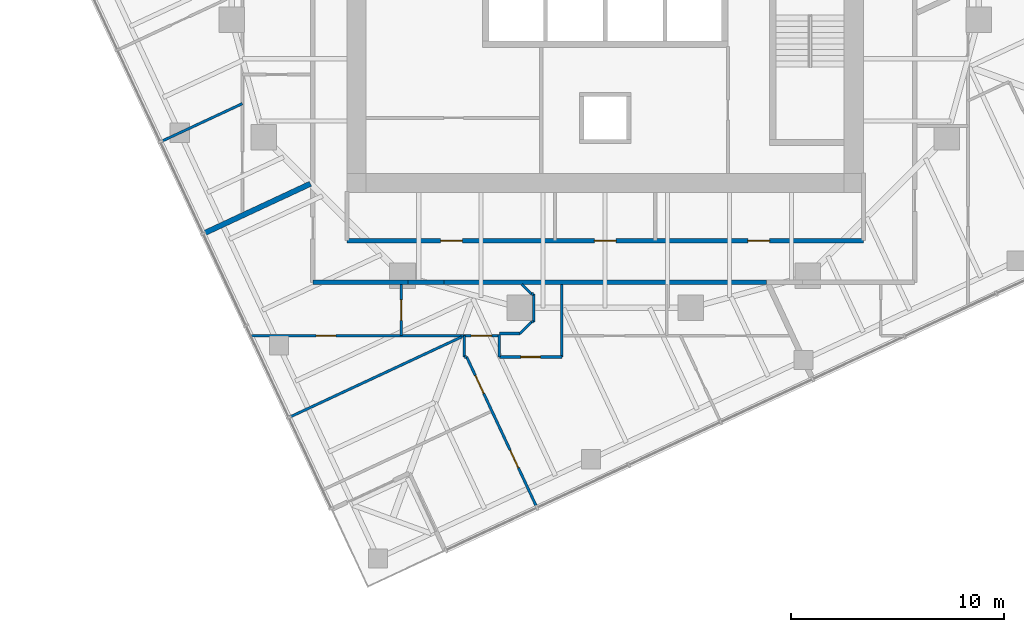
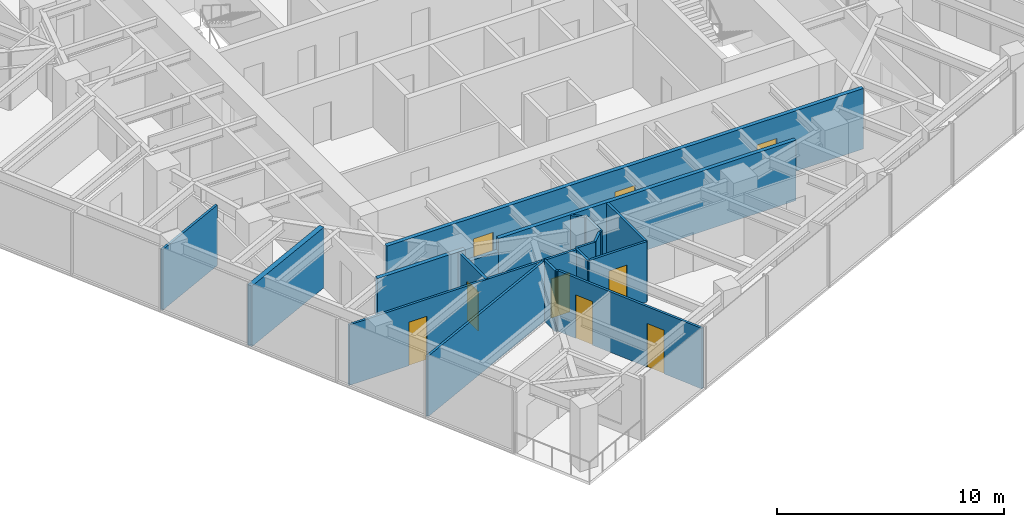
# One storey, part 7 of 13: 23 walls, 9 doors, 9 openings.
"""IFC4 building model written with IfcOpenShell, lengths in metres."""

from ifc_helpers import new_model, si_unit, direction, frame, frame_2d, origin, place, context, subcontext, project, spatial, rectangle, extrude, material, layer, layer_set, type_object, element, fill, save


model = new_model("IFC4")

# Units and contexts
model_context = context("Model", 3, precision=1e-05, world=origin(), true_north=direction((0.0, 1.0)))
body_context = subcontext(model_context, "Body", "Model", "MODEL_VIEW")
ifc_project = project(units=[si_unit("LENGTHUNIT", "METRE"), si_unit("AREAUNIT", "SQUARE_METRE"), si_unit("VOLUMEUNIT", "CUBIC_METRE"), si_unit("PLANEANGLEUNIT", "RADIAN"), si_unit("MASSUNIT", "GRAM", prefix="KILO")], contexts=[model_context])

# Site, building, storey
site_placement = place(None, origin())
site = spatial("IfcSite", under=ifc_project, at=site_placement, CompositionType="ELEMENT")
building_placement = place(site_placement, origin())
building = spatial("IfcBuilding", under=site, at=building_placement, Name="Torsade Residences", CompositionType="ELEMENT")
storey_placement = place(building_placement, frame((0.0, 0.0, 179.39990234375)))
storey = spatial("IfcBuildingStorey", under=building, at=storey_placement, Name="L49", CompositionType="ELEMENT", Elevation=179.39990234375)

# Walls
ifc_material_1 = material(Name="Plasterboard on steel stud", Category="steel")
ifc_layer_1 = layer(ifc_material_1, 0.199951171875)
ifc_layer_set_1 = layer_set([ifc_layer_1], Name="Plasterboard on steel stud")
wall_type_1 = type_object("IfcWallType", Name="CORRIDOR WALL 200", PredefinedType="PARTITIONING", material=ifc_layer_set_1)
wall_1_placement = place(storey_placement, frame((26.300048828125, 13.699951171875, 0.0), z_axis=(0.0, 0.0, 1.0), x_axis=(1.0, 0.0, 0.0)))
element("IfcWall", 1, at=wall_1_placement, inside=storey, type_object=wall_type_1, Name="Corridor wall L49", PredefinedType="PARTITIONING", context=body_context, shape_type="SweptSolid", body=[
    extrude(rectangle(XDim=4.458251953125, YDim=0.199951171875, at=frame_2d((2.22900390625, 0.0))), origin(), (0.0, 0.0, 1.0), 3.25),
])
wall_2_placement = place(storey_placement, frame((30.75830078125, 13.699951171875, 0.0), z_axis=(0.0, 0.0, 1.0), x_axis=(1.0, 0.0, 0.0)))
element("IfcWall", 2, at=wall_2_placement, inside=storey, type_object=wall_type_1, Name="Corridor wall L49", PredefinedType="PARTITIONING", context=body_context, shape_type="SweptSolid", body=[
    extrude(rectangle(XDim=1.683349609375, YDim=0.199951171875, at=frame_2d((0.841796875, 0.0))), origin(), (0.0, 0.0, 1.0), 2.550048828125),
])
wall_3_placement = place(storey_placement, frame((32.441650390625, 13.699951171875, 0.0), z_axis=(0.0, 0.0, 1.0), x_axis=(1.0, 0.0, 0.0)))
element("IfcWall", 3, at=wall_3_placement, inside=storey, type_object=wall_type_1, Name="Corridor wall L49", PredefinedType="PARTITIONING", context=body_context, shape_type="SweptSolid", body=[
    extrude(rectangle(XDim=15.11669921875, YDim=0.199951171875, at=frame_2d((7.558349609375, 0.0))), origin(), (0.0, 0.0, 1.0), 3.25),
])

# Wall, openings, doors
wall_4_placement = place(storey_placement, frame((27.89990234375, 15.64990234375, 0.0), z_axis=(0.0, 0.0, 1.0), x_axis=(1.0, 0.0, 0.0)))
wall_4 = element("IfcWall", 4, at=wall_4_placement, inside=storey, type_object=wall_type_1, Name="Corridor wall L49", PredefinedType="PARTITIONING", context=body_context, shape_type="SweptSolid", body=[
    extrude(rectangle(XDim=24.2001953125, YDim=0.199951171875, at=frame_2d((12.10009765625, 0.0))), origin(), (0.0, 0.0, 1.0), 3.25),
])
opening_1_placement = place(wall_4_placement, frame((4.391357421875, 0.0, 0.0)))
opening_1 = element("IfcOpeningElement", 5, at=opening_1_placement, cuts=wall_4, Name="Opening D03", PredefinedType="OPENING", context=body_context, shape_type="SweptSolid", body=[
    extrude(rectangle(XDim=1.02001953125, YDim=2.10009765625, at=frame_2d((0.510009765625, 1.050048828125))), frame((0.0, 0.10986328125, 0.0), z_axis=(0.0, -1.0, 0.0), x_axis=(1.0, 0.0, 0.0)), (0.0, 0.0, 1.0), 0.219970703125),
])
opening_2_placement = place(wall_4_placement, frame((18.788818359375, 0.0, 0.0)))
opening_2 = element("IfcOpeningElement", 6, at=opening_2_placement, cuts=wall_4, Name="Opening D03", PredefinedType="OPENING", context=body_context, shape_type="SweptSolid", body=[
    extrude(rectangle(XDim=1.02001953125, YDim=2.10009765625, at=frame_2d((0.510009765625, 1.050048828125))), frame((0.0, 0.10986328125, 0.0), z_axis=(0.0, -1.0, 0.0), x_axis=(1.0, 0.0, 0.0)), (0.0, 0.0, 1.0), 0.219970703125),
])
opening_3_placement = place(wall_4_placement, frame((11.590087890625, 0.0, 0.0)))
opening_3 = element("IfcOpeningElement", 7, at=opening_3_placement, cuts=wall_4, Name="Opening D03", PredefinedType="OPENING", context=body_context, shape_type="SweptSolid", body=[
    extrude(rectangle(XDim=1.02001953125, YDim=2.10009765625, at=frame_2d((0.510009765625, 1.050048828125))), frame((0.0, 0.10986328125, 0.0), z_axis=(0.0, -1.0, 0.0), x_axis=(1.0, 0.0, 0.0)), (0.0, 0.0, 1.0), 0.219970703125),
])
ifc_material_2 = material(Name="Steel-framed fire door", Category="steel")
door_type_1 = type_object("IfcDoorType", Name="FIRE DOOR 1020", OperationType="NOTDEFINED", PredefinedType="DOOR", material=ifc_material_2)
door_1_placement = place(opening_1_placement, origin())
door_1 = element("IfcDoor", 8, at=door_1_placement, inside=storey, type_object=door_type_1, Name="Door Residential corridor to Residents storage", OperationType="SINGLE_SWING_LEFT", OverallHeight=2.10009765625, OverallWidth=1.02001953125, PredefinedType="DOOR", context=body_context, shape_type="SweptSolid", body=[
    extrude(rectangle(XDim=1.02001953125, YDim=2.10009765625, at=frame_2d((0.510009765625, 1.050048828125))), frame((0.0, 0.02490234375, 0.0), z_axis=(0.0, -1.0, 0.0), x_axis=(1.0, 0.0, 0.0)), (0.0, 0.0, 1.0), 0.050048828125),
])
fill(opening_1, door_1)
door_2_placement = place(opening_2_placement, origin())
door_2 = element("IfcDoor", 9, at=door_2_placement, inside=storey, type_object=door_type_1, Name="Door Residential corridor to Parcel room", OperationType="SINGLE_SWING_RIGHT", OverallHeight=2.10009765625, OverallWidth=1.02001953125, PredefinedType="DOOR", context=body_context, shape_type="SweptSolid", body=[
    extrude(rectangle(XDim=1.02001953125, YDim=2.10009765625, at=frame_2d((0.510009765625, 1.050048828125))), frame((0.0, 0.02490234375, 0.0), z_axis=(0.0, -1.0, 0.0), x_axis=(1.0, 0.0, 0.0)), (0.0, 0.0, 1.0), 0.050048828125),
])
fill(opening_2, door_2)
door_3_placement = place(opening_3_placement, origin())
door_3 = element("IfcDoor", 10, at=door_3_placement, inside=storey, type_object=door_type_1, Name="Door Residential corridor to Cleaner store", OperationType="SINGLE_SWING_RIGHT", OverallHeight=2.10009765625, OverallWidth=1.02001953125, PredefinedType="DOOR", context=body_context, shape_type="SweptSolid", body=[
    extrude(rectangle(XDim=1.02001953125, YDim=2.10009765625, at=frame_2d((0.510009765625, 1.050048828125))), frame((0.0, 0.02490234375, 0.0), z_axis=(0.0, -1.0, 0.0), x_axis=(1.0, 0.0, 0.0)), (0.0, 0.0, 1.0), 0.050048828125),
])
fill(opening_3, door_3)

# Wall
ifc_material_3 = material(Name="Plasterboard on steel stud", Category="steel")
ifc_layer_2 = layer(ifc_material_3, 0.1201171875)
ifc_layer_set_2 = layer_set([ifc_layer_2], Name="Plasterboard on steel stud")
wall_type_2 = type_object("IfcWallType", Name="PARTITION 120", PredefinedType="PARTITIONING", material=ifc_layer_set_2)
wall_5_placement = place(storey_placement, frame((23.0, 22.07275390625, 0.0), z_axis=(0.0, 0.0, 1.0), x_axis=(-0.906304800396, -0.422624666552, 0.0)))
element("IfcWall", 11, at=wall_5_placement, inside=storey, type_object=wall_type_2, Name="Partition L49", PredefinedType="PARTITIONING", context=body_context, shape_type="SweptSolid", body=[
    extrude(rectangle(XDim=4.20263671875, YDim=0.1201171875, at=frame_2d((2.101318359375, 0.0))), origin(), (0.0, 0.0, 1.0), 3.25),
])

# Wall, opening, door
wall_6_placement = place(storey_placement, frame((30.449951171875, 13.60009765625, 0.0), z_axis=(0.0, 0.0, 1.0), x_axis=(0.0, -1.0, 0.0)))
wall_6 = element("IfcWall", 12, at=wall_6_placement, inside=storey, type_object=wall_type_2, Name="Partition L49", PredefinedType="PARTITIONING", context=body_context, shape_type="SweptSolid", body=[
    extrude(rectangle(XDim=2.400146484375, YDim=0.1201171875, at=frame_2d((1.2001953125, 0.0))), origin(), (0.0, 0.0, 1.0), 3.25),
])
opening_4_placement = place(wall_6_placement, frame((0.719970703125, 0.0, 0.0)))
opening_4 = element("IfcOpeningElement", 13, at=opening_4_placement, cuts=wall_6, Name="Opening D05", PredefinedType="OPENING", context=body_context, shape_type="SweptSolid", body=[
    extrude(rectangle(XDim=0.9599609375, YDim=2.10009765625, at=frame_2d((0.47998046875, 1.050048828125))), frame((0.0, 0.070068359375, 0.0), z_axis=(0.0, -1.0, 0.0), x_axis=(1.0, 0.0, 0.0)), (0.0, 0.0, 1.0), 0.14013671875),
])
ifc_material_4 = material(Name="Hollow-core timber door in a steel cavity frame", Category="steel")
door_type_2 = type_object("IfcDoorType", Name="BATHROOM CAVITY SLIDING DOOR 960", OperationType="SLIDING_TO_LEFT", PredefinedType="DOOR", material=ifc_material_4)
door_4_placement = place(opening_4_placement, origin())
door_4 = element("IfcDoor", 14, at=door_4_placement, inside=storey, type_object=door_type_2, Name="Door Kitchen and dining to Laundry", OperationType="SLIDING_TO_LEFT", OverallHeight=2.10009765625, OverallWidth=0.9599609375, PredefinedType="DOOR", context=body_context, shape_type="SweptSolid", body=[
    extrude(rectangle(XDim=0.9599609375, YDim=2.10009765625, at=frame_2d((0.47998046875, 1.050048828125))), frame((0.0, 0.02490234375, 0.0), z_axis=(0.0, -1.0, 0.0), x_axis=(1.0, 0.0, 0.0)), (0.0, 0.0, 1.0), 0.050048828125),
])
fill(opening_4, door_4)

wall_7_placement = place(storey_placement, frame((33.25, 11.199951171875, 0.0), z_axis=(0.0, 0.0, 1.0), x_axis=(-1.0, 0.0, 0.0)))
wall_7 = element("IfcWall", 15, at=wall_7_placement, inside=storey, type_object=wall_type_2, Name="Partition L49", PredefinedType="PARTITIONING", context=body_context, shape_type="SweptSolid", body=[
    extrude(rectangle(XDim=9.81689453125, YDim=0.1201171875, at=frame_2d((4.908447265625, 0.0))), origin(), (0.0, 0.0, 1.0), 3.25),
])
opening_5_placement = place(wall_7_placement, frame((5.87060546875, 0.0, 0.0)))
opening_5 = element("IfcOpeningElement", 16, at=opening_5_placement, cuts=wall_7, Name="Opening D02", PredefinedType="OPENING", context=body_context, shape_type="SweptSolid", body=[
    extrude(rectangle(XDim=0.919921875, YDim=2.340087890625, at=frame_2d((0.4599609375, 1.169921875))), frame((0.0, 0.070068359375, 0.0), z_axis=(0.0, -1.0, 0.0), x_axis=(1.0, 0.0, 0.0)), (0.0, 0.0, 1.0), 0.14013671875),
])
ifc_material_5 = material(Name="Hollow-core timber door", Category="wood")
door_type_3 = type_object("IfcDoorType", Name="INTERNAL DOOR 920x2340", OperationType="NOTDEFINED", PredefinedType="DOOR", material=ifc_material_5)
door_5_placement = place(opening_5_placement, origin())
door_5 = element("IfcDoor", 17, at=door_5_placement, inside=storey, type_object=door_type_3, Name="Door Kitchen and dining to Bedroom 3", OperationType="SINGLE_SWING_RIGHT", OverallHeight=2.340087890625, OverallWidth=0.919921875, PredefinedType="DOOR", context=body_context, shape_type="SweptSolid", body=[
    extrude(rectangle(XDim=0.919921875, YDim=2.340087890625, at=frame_2d((0.4599609375, 1.169921875))), frame((0.0, 0.02490234375, 0.0), z_axis=(0.0, -1.0, 0.0), x_axis=(1.0, 0.0, 0.0)), (0.0, 0.0, 1.0), 0.050048828125),
])
fill(opening_5, door_5)

# Walls
wall_8_placement = place(storey_placement, frame((37.973876953125, 10.199951171875, 0.0), z_axis=(0.0, 0.0, 1.0), x_axis=(0.0, 1.0, 0.0)))
element("IfcWall", 18, at=wall_8_placement, inside=storey, type_object=wall_type_2, Name="Partition L49", PredefinedType="PARTITIONING", context=body_context, shape_type="SweptSolid", body=[
    extrude(rectangle(XDim=3.400146484375, YDim=0.1201171875, at=frame_2d((1.7001953125, 0.0))), origin(), (0.0, 0.0, 1.0), 3.25),
])
wall_9_placement = place(storey_placement, frame((36.10009765625, 13.60009765625, 0.0), z_axis=(0.0, 0.0, 1.0), x_axis=(0.70691497141, -0.707298538947, 0.0)))
element("IfcWall", 19, at=wall_9_placement, inside=storey, type_object=wall_type_2, Name="Partition L49", PredefinedType="PARTITIONING", context=body_context, shape_type="SweptSolid", body=[
    extrude(rectangle(XDim=0.636474609375, YDim=0.1201171875, at=frame_2d((0.318359375, 0.0))), origin(), (0.0, 0.0, 1.0), 3.25),
])
wall_10_placement = place(storey_placement, frame((36.64990234375, 13.14990234375, 0.0), z_axis=(0.0, 0.0, 1.0), x_axis=(0.0, -1.0, 0.0)))
element("IfcWall", 20, at=wall_10_placement, inside=storey, type_object=wall_type_2, Name="Partition L49", PredefinedType="PARTITIONING", context=body_context, shape_type="SweptSolid", body=[
    extrude(rectangle(XDim=1.2998046875, YDim=0.1201171875, at=frame_2d((0.64990234375, 0.0))), origin(), (0.0, 0.0, 1.0), 3.25),
])
wall_11_placement = place(storey_placement, frame((36.550048828125, 11.85009765625, 0.0), z_axis=(0.0, 0.0, 1.0), x_axis=(-0.707106781187, -0.707106781187, 0.0)))
element("IfcWall", 21, at=wall_11_placement, inside=storey, type_object=wall_type_2, Name="Partition L49", PredefinedType="PARTITIONING", context=body_context, shape_type="SweptSolid", body=[
    extrude(rectangle(XDim=0.77783203125, YDim=0.1201171875, at=frame_2d((0.388916015625, 0.0))), origin(), (0.0, 0.0, 1.0), 3.25),
])
wall_12_placement = place(storey_placement, frame((36.0, 11.300048828125, 0.0), z_axis=(0.0, 0.0, 1.0), x_axis=(-1.0, 0.0, 0.0)))
element("IfcWall", 22, at=wall_12_placement, inside=storey, type_object=wall_type_2, Name="Partition L49", PredefinedType="PARTITIONING", context=body_context, shape_type="SweptSolid", body=[
    extrude(rectangle(XDim=0.958251953125, YDim=0.1201171875, at=frame_2d((0.47900390625, 0.0))), origin(), (0.0, 0.0, 1.0), 3.25),
])

# Wall, opening, door
wall_13_placement = place(storey_placement, frame((35.041748046875, 11.199951171875, 0.0), z_axis=(0.0, 0.0, 1.0), x_axis=(-1.0, 0.0, 0.0)))
wall_13 = element("IfcWall", 23, at=wall_13_placement, inside=storey, type_object=wall_type_2, Name="Partition L49", PredefinedType="PARTITIONING", context=body_context, shape_type="SweptSolid", body=[
    extrude(rectangle(XDim=1.68994140625, YDim=0.1201171875, at=frame_2d((0.844970703125, 0.0))), origin(), (0.0, 0.0, 1.0), 3.25),
])
opening_6_placement = place(wall_13_placement, frame((0.364990234375, 0.0, 0.0)))
opening_6 = element("IfcOpeningElement", 24, at=opening_6_placement, cuts=wall_13, Name="Opening D05", PredefinedType="OPENING", context=body_context, shape_type="SweptSolid", body=[
    extrude(rectangle(XDim=0.9599609375, YDim=2.10009765625, at=frame_2d((0.47998046875, 1.050048828125))), frame((0.0, 0.070068359375, 0.0), z_axis=(0.0, -1.0, 0.0), x_axis=(1.0, 0.0, 0.0)), (0.0, 0.0, 1.0), 0.14013671875),
])
door_6_placement = place(opening_6_placement, origin())
door_6 = element("IfcDoor", 25, at=door_6_placement, inside=storey, type_object=door_type_2, Name="Door Laundry to Living room", OperationType="SLIDING_TO_LEFT", OverallHeight=2.10009765625, OverallWidth=0.9599609375, PredefinedType="DOOR", context=body_context, shape_type="SweptSolid", body=[
    extrude(rectangle(XDim=0.9599609375, YDim=2.10009765625, at=frame_2d((0.47998046875, 1.050048828125))), frame((0.0, 0.02490234375, 0.0), z_axis=(0.0, -1.0, 0.0), x_axis=(1.0, 0.0, 0.0)), (0.0, 0.0, 1.0), 0.050048828125),
])
fill(opening_6, door_6)

wall_14_placement = place(storey_placement, frame((37.973876953125, 10.199951171875, 0.0), z_axis=(0.0, 0.0, 1.0), x_axis=(-1.0, 0.0, 0.0)))
wall_14 = element("IfcWall", 26, at=wall_14_placement, inside=storey, type_object=wall_type_2, Name="Partition L49", PredefinedType="PARTITIONING", context=body_context, shape_type="SweptSolid", body=[
    extrude(rectangle(XDim=2.93212890625, YDim=0.1201171875, at=frame_2d((1.466064453125, 0.0))), origin(), (0.0, 0.0, 1.0), 3.25),
])
opening_7_placement = place(wall_14_placement, frame((1.006103515625, 0.0, 0.0)))
opening_7 = element("IfcOpeningElement", 27, at=opening_7_placement, cuts=wall_14, Name="Opening D02", PredefinedType="OPENING", context=body_context, shape_type="SweptSolid", body=[
    extrude(rectangle(XDim=0.919921875, YDim=2.340087890625, at=frame_2d((0.4599609375, 1.169921875))), frame((0.0, 0.070068359375, 0.0), z_axis=(0.0, -1.0, 0.0), x_axis=(1.0, 0.0, 0.0)), (0.0, 0.0, 1.0), 0.14013671875),
])
door_7_placement = place(opening_7_placement, origin())
door_7 = element("IfcDoor", 28, at=door_7_placement, inside=storey, type_object=door_type_3, Name="Door Living room to Study", OperationType="SINGLE_SWING_RIGHT", OverallHeight=2.340087890625, OverallWidth=0.919921875, PredefinedType="DOOR", context=body_context, shape_type="SweptSolid", body=[
    extrude(rectangle(XDim=0.919921875, YDim=2.340087890625, at=frame_2d((0.4599609375, 1.169921875))), frame((0.0, 0.02490234375, 0.0), z_axis=(0.0, -1.0, 0.0), x_axis=(1.0, 0.0, 0.0)), (0.0, 0.0, 1.0), 0.050048828125),
])
fill(opening_7, door_7)

# Wall
wall_15_placement = place(storey_placement, frame((35.041748046875, 10.199951171875, 0.0), z_axis=(0.0, 0.0, 1.0), x_axis=(0.0, 1.0, 0.0)))
element("IfcWall", 29, at=wall_15_placement, inside=storey, type_object=wall_type_2, Name="Partition L49", PredefinedType="PARTITIONING", context=body_context, shape_type="SweptSolid", body=[
    extrude(rectangle(XDim=1.050048828125, YDim=0.1201171875, at=frame_2d((0.52490234375, 0.0))), origin(), (0.0, 0.0, 1.0), 3.25),
])

# Wall, openings, doors
wall_16_placement = place(storey_placement, frame((36.78857421875, 3.1689453125, 0.0), z_axis=(0.0, 0.0, 1.0), x_axis=(-0.422639089597, 0.906298074557, 0.0)))
wall_16 = element("IfcWall", 30, at=wall_16_placement, inside=storey, type_object=wall_type_2, Name="Partition L49", PredefinedType="PARTITIONING", context=body_context, shape_type="SweptSolid", body=[
    extrude(rectangle(XDim=7.758056640625, YDim=0.1201171875, at=frame_2d((3.87890625, 0.0))), origin(), (0.0, 0.0, 1.0), 3.25),
])
opening_8_placement = place(wall_16_placement, frame((2.026123046875, 0.0, 0.0)))
opening_8 = element("IfcOpeningElement", 31, at=opening_8_placement, cuts=wall_16, Name="Opening D02", PredefinedType="OPENING", context=body_context, shape_type="SweptSolid", body=[
    extrude(rectangle(XDim=0.919921875, YDim=2.340087890625, at=frame_2d((0.4599609375, 1.169921875))), frame((0.0, 0.070068359375, 0.0), z_axis=(0.0, -1.0, 0.0), x_axis=(1.0, 0.0, 0.0)), (0.0, 0.0, 1.0), 0.14013671875),
])
opening_9_placement = place(wall_16_placement, frame((5.875244140625, 0.0, 0.0)))
opening_9 = element("IfcOpeningElement", 32, at=opening_9_placement, cuts=wall_16, Name="Opening D02", PredefinedType="OPENING", context=body_context, shape_type="SweptSolid", body=[
    extrude(rectangle(XDim=0.919921875, YDim=2.340087890625, at=frame_2d((0.4599609375, 1.169921875))), frame((0.0, 0.070068359375, 0.0), z_axis=(0.0, -1.0, 0.0), x_axis=(1.0, 0.0, 0.0)), (0.0, 0.0, 1.0), 0.14013671875),
])
door_8_placement = place(opening_8_placement, origin())
door_8 = element("IfcDoor", 33, at=door_8_placement, inside=storey, type_object=door_type_3, Name="Door Living room to Bedroom 2", OperationType="SINGLE_SWING_RIGHT", OverallHeight=2.340087890625, OverallWidth=0.919921875, PredefinedType="DOOR", context=body_context, shape_type="SweptSolid", body=[
    extrude(rectangle(XDim=0.919921875, YDim=2.340087890625, at=frame_2d((0.4599609375, 1.169921875))), frame((0.0, 0.02490234375, 0.0), z_axis=(0.0, -1.0, 0.0), x_axis=(1.0, 0.0, 0.0)), (0.0, 0.0, 1.0), 0.050048828125),
])
fill(opening_8, door_8)
door_9_placement = place(opening_9_placement, origin())
door_9 = element("IfcDoor", 34, at=door_9_placement, inside=storey, type_object=door_type_3, Name="Door Living room to Bedroom 1", OperationType="SINGLE_SWING_LEFT", OverallHeight=2.340087890625, OverallWidth=0.919921875, PredefinedType="DOOR", context=body_context, shape_type="SweptSolid", body=[
    extrude(rectangle(XDim=0.919921875, YDim=2.340087890625, at=frame_2d((0.4599609375, 1.169921875))), frame((0.0, 0.02490234375, 0.0), z_axis=(0.0, -1.0, 0.0), x_axis=(1.0, 0.0, 0.0)), (0.0, 0.0, 1.0), 0.050048828125),
])
fill(opening_9, door_9)

# Walls
wall_17_placement = place(storey_placement, frame((33.401611328125, 10.199951171875, 0.0), z_axis=(0.0, 0.0, 1.0), x_axis=(0.0, 1.0, 0.0)))
element("IfcWall", 35, at=wall_17_placement, inside=storey, type_object=wall_type_2, Name="Partition L49", PredefinedType="PARTITIONING", context=body_context, shape_type="SweptSolid", body=[
    extrude(rectangle(XDim=1.0, YDim=0.1201171875, at=frame_2d((0.5, 0.0))), origin(), (0.0, 0.0, 1.0), 3.25),
])
wall_18_placement = place(storey_placement, frame((25.21337890625, 7.3818359375, 0.0), z_axis=(0.0, 0.0, 1.0), x_axis=(0.906310464333, 0.422612520212, 0.0)))
element("IfcWall", 36, at=wall_18_placement, inside=storey, type_object=wall_type_2, Name="Partition L49", PredefinedType="PARTITIONING", context=body_context, shape_type="SweptSolid", body=[
    extrude(rectangle(XDim=8.91259765625, YDim=0.1201171875, at=frame_2d((4.456298828125, 0.0))), origin(), (0.0, 0.0, 1.0), 3.25),
])
wall_19_placement = place(storey_placement, frame((33.25, 11.199951171875, 0.0), z_axis=(0.0, 0.0, 1.0), x_axis=(1.0, 0.0, 0.0)))
element("IfcWall", 37, at=wall_19_placement, inside=storey, type_object=wall_type_2, Name="Partition L49", PredefinedType="PARTITIONING", context=body_context, shape_type="SweptSolid", body=[
    extrude(rectangle(XDim=0.101806640625, YDim=0.1201171875, at=frame_2d((0.05078125, 0.0))), origin(), (0.0, 0.0, 1.0), 3.25),
])
for number, where, z_axis, x_axis, name in (
    (38, (36.64990234375, 13.14990234375, 0.0), (0.0, 0.0, 1.0), (-1.0, 0.0, 0.0), "Partition L49"),
    (39, (36.64990234375, 11.85009765625, 0.0), (0.0, 0.0, 1.0), (-1.0, 0.0, 0.0), "Partition L49"),
):
    element("IfcWall", number, at=place(storey_placement, frame(where, z_axis=z_axis, x_axis=x_axis)), inside=storey, type_object=wall_type_2, Name=name, PredefinedType="PARTITIONING", context=body_context, shape_type="SweptSolid", body=[
        extrude(rectangle(XDim=0.099853515625, YDim=0.1201171875, at=frame_2d((0.0498046875, 0.0))), origin(), (0.0, 0.0, 1.0), 3.25),
    ])
wall_20_placement = place(storey_placement, frame((33.401611328125, 10.199951171875, 0.0), z_axis=(0.0, 0.0, 1.0), x_axis=(1.0, 0.0, 0.0)))
element("IfcWall", 40, at=wall_20_placement, inside=storey, type_object=wall_type_2, Name="Partition L49", PredefinedType="PARTITIONING", context=body_context, shape_type="SweptSolid", body=[
    extrude(rectangle(XDim=0.108154296875, YDim=0.1201171875, at=frame_2d((0.05419921875, 0.0))), origin(), (0.0, 0.0, 1.0), 3.25),
])
ifc_material_6 = material(Name="Masonry-lined stud party wall", Category="masonry")
ifc_layer_3 = layer(ifc_material_6, 0.25)
ifc_layer_set_3 = layer_set([ifc_layer_3], Name="Masonry-lined stud party wall")
wall_type_3 = type_object("IfcWallType", Name="PARTY WALL 250", PredefinedType="PARTITIONING", material=ifc_layer_set_3)
wall_21_placement = place(storey_placement, frame((21.162353515625, 15.974853515625, 0.0), z_axis=(0.0, 0.0, 1.0), x_axis=(0.906309193024, 0.422615246577, 0.0)))
element("IfcWall", 41, at=wall_21_placement, inside=storey, type_object=wall_type_3, Name="Party wall L49", PredefinedType="PARTITIONING", context=body_context, shape_type="SweptSolid", body=[
    extrude(rectangle(XDim=5.5400390625, YDim=0.25, at=frame_2d((2.77001953125, 0.0))), origin(), (0.0, 0.0, 1.0), 3.25),
])

save(model, "model.ifc")
